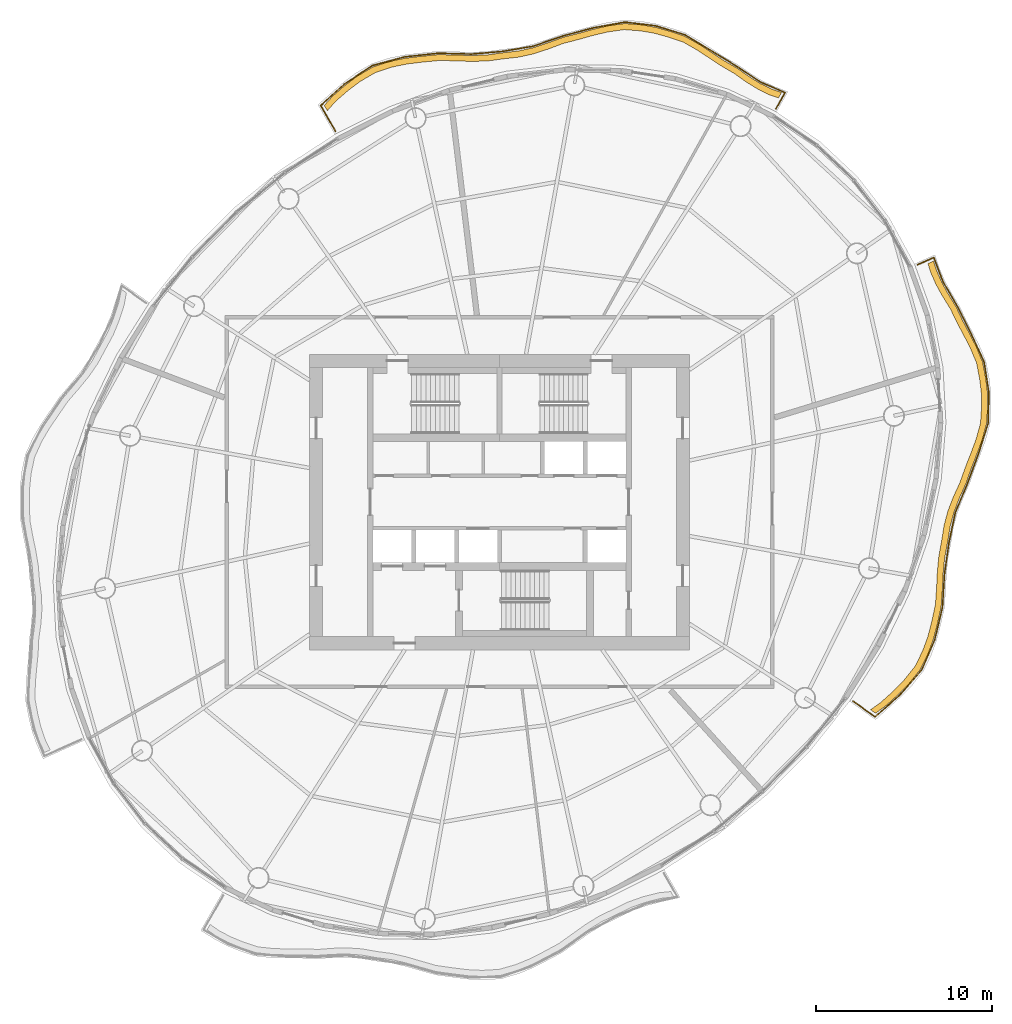
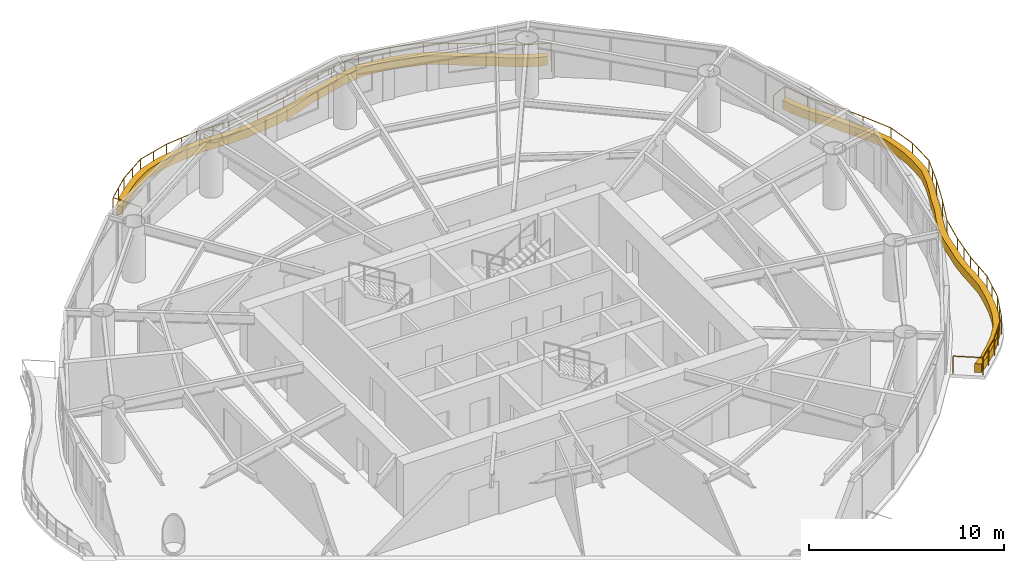
# One storey, part 14 of 14: 2 coverings, 2 railings.
"""IFC4 building model written with IfcOpenShell, lengths in metres."""

from ifc_helpers import new_model, si_unit, direction, frame, origin, origin_2d, place, context, subcontext, project, spatial, polyline, circle, outline, extrude, material, type_object, element, save


model = new_model("IFC4")

# Units and contexts
model_context = context("Model", 3, precision=1e-05, world=origin(), true_north=direction((0.0, 1.0)))
body_context = subcontext(model_context, "Body", "Model", "MODEL_VIEW")
ifc_project = project(units=[si_unit("LENGTHUNIT", "METRE"), si_unit("AREAUNIT", "SQUARE_METRE"), si_unit("VOLUMEUNIT", "CUBIC_METRE"), si_unit("PLANEANGLEUNIT", "RADIAN"), si_unit("MASSUNIT", "GRAM", prefix="KILO")], contexts=[model_context])

# Site, building, storey
site_placement = place(None, origin())
site = spatial("IfcSite", under=ifc_project, at=site_placement, CompositionType="ELEMENT")
building_placement = place(site_placement, origin())
building = spatial("IfcBuilding", under=site, at=building_placement, Name="Vermilion Reach Broadcast Tower", CompositionType="ELEMENT")
storey_placement = place(building_placement, frame((0.0, 0.0, 202.89990234375)))
storey = spatial("IfcBuildingStorey", under=building, at=storey_placement, Name="L49", CompositionType="ELEMENT", Elevation=202.89990234375)

# Coverings
ifc_material_1 = material(Name="Planting soil and greenery")
covering_type = type_object("IfcCoveringType", Name="Balcony PLANTER", PredefinedType="USERDEFINED", material=ifc_material_1)
placement = place(storey_placement, origin())
element("IfcCovering", 1, at=placement, inside=storey, type_object=covering_type, Name="PLANTER L49 group 1", ObjectType="PLANTER", PredefinedType="USERDEFINED", context=body_context, shape_type="SweptSolid", body=[
    extrude(outline(polyline([(10.03271484375, 23.28271484375), (9.514404296875, 23.454833984375), (8.83544921875, 23.7861328125), (8.18798828125, 24.184326171875), (7.480712890625, 24.682861328125), (6.706787109375, 25.125244140625), (6.0341796875, 25.567626953125), (5.362060546875, 26.011962890625), (4.53515625, 26.478759765625), (3.624755859375, 26.78173828125), (2.857177734375, 26.994384765625), (2.077392578125, 27.12744140625), (1.12646484375, 27.2041015625), (0.151611328125, 27.072265625), (-0.662841796875, 26.87841796875), (-1.477783203125, 26.650146484375), (-2.39208984375, 26.418701171875), (-3.29248046875, 26.08935546875), (-4.100830078125, 25.827392578125), (-4.917724609375, 25.64306640625), (-5.809814453125, 25.541259765625), (-6.723388671875, 25.41650390625), (-7.59326171875, 25.386474609375), (-8.4765625, 25.412353515625), (-9.46923828125, 25.43896484375), (-10.47314453125, 25.338623046875), (-11.361083984375, 25.232177734375), (-12.22314453125, 25.05517578125), (-13.182373046875, 24.7421875), (-14.067138671875, 24.225830078125), (-14.786376953125, 23.6884765625), (-15.47412109375, 23.088134765625), (-15.96240234375, 22.547119140625), (-15.788330078125, 22.243408203125), (-15.31689453125, 22.775390625), (-14.629150390625, 23.375732421875), (-13.909912109375, 23.9130859375), (-13.04296875, 24.421142578125), (-12.10205078125, 24.7265625), (-11.239990234375, 24.90380859375), (-10.35205078125, 25.010009765625), (-9.36767578125, 25.10400390625), (-8.39453125, 25.072021484375), (-7.51123046875, 25.046142578125), (-6.6416015625, 25.076171875), (-5.748779296875, 25.196533203125), (-4.8779296875, 25.29541015625), (-4.060791015625, 25.479736328125), (-3.252685546875, 25.74169921875), (-2.374755859375, 26.069091796875), (-1.48291015625, 26.300048828125), (-0.66796875, 26.528564453125), (0.146484375, 26.72216796875), (1.09765625, 26.855224609375), (2.025390625, 26.781494140625), (2.804931640625, 26.648193359375), (3.572509765625, 26.435791015625), (4.45849609375, 26.13720703125), (5.261474609375, 25.6767578125), (5.933349609375, 25.232421875), (6.606201171875, 24.7900390625), (7.355224609375, 24.35595703125), (8.03857421875, 23.867919921875), (8.68603515625, 23.4697265625), (9.364990234375, 23.138427734375), (9.859375, 22.978515625), (10.03271484375, 23.28271484375)])), origin(), (0.0, 0.0, 1.0), 0.550048828125),
])
element("IfcCovering", 2, at=placement, inside=storey, type_object=covering_type, Name="PLANTER L49 group 4", ObjectType="PLANTER", PredefinedType="USERDEFINED", context=body_context, shape_type="SweptSolid", body=[
    extrude(outline(polyline([(15.377685546875, -12.009521484375), (15.962890625, -11.583740234375), (16.6455078125, -10.968994140625), (17.28173828125, -10.324951171875), (17.92041015625, -9.520263671875), (18.368408203125, -8.617919921875), (18.66796875, -7.796630859375), (18.89013671875, -6.937744140625), (19.106689453125, -5.949462890625), (19.178466796875, -4.95166015625), (19.220947265625, -4.064208984375), (19.3037109375, -3.19091796875), (19.475341796875, -2.277099609375), (19.616943359375, -1.38720703125), (19.834228515625, -0.58203125), (20.13525390625, 0.205322265625), (20.52294921875, 1.0673828125), (20.830810546875, 1.9482421875), (21.142822265625, 2.737060546875), (21.435791015625, 3.52734375), (21.695068359375, 4.4775390625), (21.75244140625, 5.42919921875), (21.73974609375, 6.220458984375), (21.64501953125, 7.007080078125), (21.466064453125, 7.951416015625), (21.102783203125, 8.830810546875), (20.735107421875, 9.54443359375), (20.355224609375, 10.255615234375), (19.96923828125, 11.07275390625), (19.510009765625, 11.822021484375), (19.139892578125, 12.49169921875), (18.8349609375, 13.18505859375), (18.6748046875, 13.699951171875), (18.355712890625, 13.556640625), (18.505615234375, 13.06689453125), (18.810302734375, 12.37353515625), (19.180419921875, 11.703857421875), (19.6318359375, 10.979248046875), (20.01171875, 10.187744140625), (20.391845703125, 9.476318359375), (20.759521484375, 8.7626953125), (21.11865234375, 7.907958984375), (21.29541015625, 6.988525390625), (21.390380859375, 6.20166015625), (21.40283203125, 5.41064453125), (21.344970703125, 4.482666015625), (21.087158203125, 3.555908203125), (20.7939453125, 2.765625), (20.48193359375, 1.97705078125), (20.1767578125, 1.118408203125), (19.79296875, 0.2783203125), (19.491943359375, -0.5087890625), (19.274658203125, -1.31396484375), (19.13818359375, -2.18310546875), (18.972900390625, -3.076416015625), (18.89013671875, -3.949951171875), (18.84765625, -4.83740234375), (18.782958984375, -5.816162109375), (18.574951171875, -6.78564453125), (18.352783203125, -7.64453125), (18.052978515625, -8.4658203125), (17.6142578125, -9.3505859375), (16.985595703125, -10.13818359375), (16.349609375, -10.782470703125), (15.666748046875, -11.39697265625), (15.09228515625, -11.80712890625), (15.377685546875, -12.009521484375)])), origin(), (0.0, 0.0, 1.0), 0.550048828125),
])

# Railings
ifc_material_2 = material(Name="Stainless steel 316 balustrade", Category="steel")
railing_type = type_object("IfcRailingType", Name="Balcony guard 1100", PredefinedType="BALUSTRADE", material=ifc_material_2)
railing_1_placement = place(storey_placement, frame((9.713134765625, 22.35986328125, 0.0)))
element("IfcRailing", 3, at=railing_1_placement, inside=storey, type_object=railing_type, Name="Balcony guard L49 group 1", PredefinedType="BALUSTRADE", context=body_context, shape_type="SweptSolid", body=[
    extrude(circle(Radius=0.02490234375, at=origin_2d()), frame((0.0, 0.0, 1.0751953125), z_axis=(0.495290467213, 0.868727433139, 0.0), x_axis=(-0.868727433139, 0.495290467213, 0.0)), (0.0, 0.0, 1.0), 1.053955078125),
    extrude(circle(Radius=0.02490234375, at=origin_2d()), frame((0.52197265625, 0.91552734375, 1.0751953125), z_axis=(-0.919620619398, 0.392807734622, 0.0), x_axis=(-0.392807734622, -0.919620619398, 0.0)), (0.0, 0.0, 1.0), 1.48486328125),
    extrude(circle(Radius=0.02490234375, at=origin_2d()), frame((-0.843505859375, 1.498779296875, 1.0751953125), z_axis=(-0.834300885899, 0.551309379376, 0.0), x_axis=(-0.551309379376, -0.834300885899, 0.0)), (0.0, 0.0, 1.0), 1.630615234375),
    extrude(circle(Radius=0.02490234375, at=origin_2d()), frame((-2.203857421875, 2.397705078125, 1.0751953125), z_axis=(-0.853530037969, 0.52104363952, 0.0), x_axis=(-0.52104363952, -0.853530037969, 0.0)), (0.0, 0.0, 1.0), 1.701416015625),
    extrude(circle(Radius=0.02490234375, at=origin_2d()), frame((-3.656005859375, 3.2841796875, 1.0751953125), z_axis=(-0.854985299741, 0.518652231488, 0.0), x_axis=(-0.518652231488, -0.854985299741, 0.0)), (0.0, 0.0, 1.0), 1.759521484375),
    extrude(circle(Radius=0.02490234375, at=origin_2d()), frame((-5.160400390625, 4.19677734375, 1.0751953125), z_axis=(-0.955967643328, 0.293472085401, 0.0), x_axis=(-0.293472085401, -0.955967643328, 0.0)), (0.0, 0.0, 1.0), 1.76123046875),
    extrude(circle(Radius=0.02490234375, at=origin_2d()), frame((-6.843994140625, 4.713623046875, 1.0751953125), z_axis=(-0.992751456698, 0.120185461785, 0.0), x_axis=(-0.120185461785, -0.992751456698, 0.0)), (0.0, 0.0, 1.0), 1.7490234375),
    extrude(circle(Radius=0.02490234375, at=origin_2d()), frame((-8.580322265625, 4.923828125, 1.0751953125), z_axis=(-0.983976818764, -0.178296438933, 0.0), x_axis=(0.178296438933, -0.983976818764, 0.0)), (0.0, 0.0, 1.0), 1.823974609375),
    extrude(circle(Radius=0.02490234375, at=origin_2d()), frame((-10.375, 4.5986328125, 1.0751953125), z_axis=(-0.966586330447, -0.25634130723, 0.0), x_axis=(0.25634130723, -0.966586330447, 0.0)), (0.0, 0.0, 1.0), 1.79443359375),
    extrude(circle(Radius=0.02490234375, at=origin_2d()), frame((-12.109375, 4.138671875, 1.0751953125), z_axis=(-0.945262728423, -0.326310242338, 0.0), x_axis=(0.326310242338, -0.945262728423, 0.0)), (0.0, 0.0, 1.0), 1.812744140625),
    extrude(circle(Radius=0.02490234375, at=origin_2d()), frame((-13.822998046875, 3.547119140625, 1.0751953125), z_axis=(-0.98625688751, -0.165219102523, 0.0), x_axis=(0.165219102523, -0.98625688751, 0.0)), (0.0, 0.0, 1.0), 1.73779296875),
    extrude(circle(Radius=0.02490234375, at=origin_2d()), frame((-15.536865234375, 3.260009765625, 1.0751953125), z_axis=(-0.996227306039, -0.086782225731, 0.0), x_axis=(0.086782225731, -0.996227306039, 0.0)), (0.0, 0.0, 1.0), 1.794921875),
    extrude(circle(Radius=0.02490234375, at=origin_2d()), frame((-17.324951171875, 3.104248046875, 1.0751953125), z_axis=(-0.999625149478, 0.027378103133, 0.0), x_axis=(-0.027378103133, -0.999625149478, 0.0)), (0.0, 0.0, 1.0), 1.881591796875),
    extrude(circle(Radius=0.02490234375, at=origin_2d()), frame((-19.205810546875, 3.15576171875, 1.0751953125), z_axis=(-0.99400950129, -0.109293693073, 0.0), x_axis=(0.109293693073, -0.99400950129, 0.0)), (0.0, 0.0, 1.0), 1.90771484375),
    extrude(circle(Radius=0.02490234375, at=origin_2d()), frame((-21.10205078125, 2.947265625, 1.0751953125), z_axis=(-0.9655845797, -0.260089252844, 0.0), x_axis=(0.260089252844, -0.9655845797, 0.0)), (0.0, 0.0, 1.0), 1.890380859375),
    extrude(circle(Radius=0.02490234375, at=origin_2d()), frame((-22.927490234375, 2.45556640625, 1.0751953125), z_axis=(-0.835993320356, -0.548739617962, 0.0), x_axis=(0.548739617962, -0.835993320356, 0.0)), (0.0, 0.0, 1.0), 1.92333984375),
    extrude(circle(Radius=0.02490234375, at=origin_2d()), frame((-24.535400390625, 1.400146484375, 1.0751953125), z_axis=(-0.738447650241, -0.674310809534, 0.0), x_axis=(0.674310809534, -0.738447650241, 0.0)), (0.0, 0.0, 1.0), 1.815673828125),
    extrude(circle(Radius=0.02490234375, at=origin_2d()), frame((-25.876220703125, 0.17578125, 1.0751953125), z_axis=(0.497586524914, -0.867414347486, 0.0), x_axis=(0.867414347486, 0.497586524914, 0.0)), (0.0, 0.0, 1.0), 1.670166015625),
    extrude(circle(Radius=0.02490234375, at=origin_2d()), origin(), (0.0, 0.0, 1.0), 1.050048828125),
    extrude(circle(Radius=0.02490234375, at=origin_2d()), frame((0.52197265625, 0.91552734375, 0.0)), (0.0, 0.0, 1.0), 1.050048828125),
    extrude(circle(Radius=0.02490234375, at=origin_2d()), frame((-0.843505859375, 1.498779296875, 0.0)), (0.0, 0.0, 1.0), 1.050048828125),
    extrude(circle(Radius=0.02490234375, at=origin_2d()), frame((-2.203857421875, 2.397705078125, 0.0)), (0.0, 0.0, 1.0), 1.050048828125),
    extrude(circle(Radius=0.02490234375, at=origin_2d()), frame((-3.656005859375, 3.2841796875, 0.0)), (0.0, 0.0, 1.0), 1.050048828125),
    extrude(circle(Radius=0.02490234375, at=origin_2d()), frame((-5.160400390625, 4.19677734375, 0.0)), (0.0, 0.0, 1.0), 1.050048828125),
    extrude(circle(Radius=0.02490234375, at=origin_2d()), frame((-6.843994140625, 4.713623046875, 0.0)), (0.0, 0.0, 1.0), 1.050048828125),
    extrude(circle(Radius=0.02490234375, at=origin_2d()), frame((-8.580322265625, 4.923828125, 0.0)), (0.0, 0.0, 1.0), 1.050048828125),
    extrude(circle(Radius=0.02490234375, at=origin_2d()), frame((-9.4775390625, 4.76123046875, 0.0)), (0.0, 0.0, 1.0), 1.050048828125),
    extrude(circle(Radius=0.02490234375, at=origin_2d()), frame((-10.375, 4.5986328125, 0.0)), (0.0, 0.0, 1.0), 1.050048828125),
    extrude(circle(Radius=0.02490234375, at=origin_2d()), frame((-12.109375, 4.138671875, 0.0)), (0.0, 0.0, 1.0), 1.050048828125),
    extrude(circle(Radius=0.02490234375, at=origin_2d()), frame((-12.96630859375, 3.8427734375, 0.0)), (0.0, 0.0, 1.0), 1.050048828125),
    extrude(circle(Radius=0.02490234375, at=origin_2d()), frame((-13.822998046875, 3.547119140625, 0.0)), (0.0, 0.0, 1.0), 1.050048828125),
    extrude(circle(Radius=0.02490234375, at=origin_2d()), frame((-15.536865234375, 3.260009765625, 0.0)), (0.0, 0.0, 1.0), 1.050048828125),
    extrude(circle(Radius=0.02490234375, at=origin_2d()), frame((-17.324951171875, 3.104248046875, 0.0)), (0.0, 0.0, 1.0), 1.050048828125),
    extrude(circle(Radius=0.02490234375, at=origin_2d()), frame((-18.265380859375, 3.1298828125, 0.0)), (0.0, 0.0, 1.0), 1.050048828125),
    extrude(circle(Radius=0.02490234375, at=origin_2d()), frame((-19.205810546875, 3.15576171875, 0.0)), (0.0, 0.0, 1.0), 1.050048828125),
    extrude(circle(Radius=0.02490234375, at=origin_2d()), frame((-20.15380859375, 3.051513671875, 0.0)), (0.0, 0.0, 1.0), 1.050048828125),
    extrude(circle(Radius=0.02490234375, at=origin_2d()), frame((-21.10205078125, 2.947265625, 0.0)), (0.0, 0.0, 1.0), 1.050048828125),
    extrude(circle(Radius=0.02490234375, at=origin_2d()), frame((-22.0146484375, 2.701416015625, 0.0)), (0.0, 0.0, 1.0), 1.050048828125),
    extrude(circle(Radius=0.02490234375, at=origin_2d()), frame((-22.927490234375, 2.45556640625, 0.0)), (0.0, 0.0, 1.0), 1.050048828125),
    extrude(circle(Radius=0.02490234375, at=origin_2d()), frame((-23.7314453125, 1.927734375, 0.0)), (0.0, 0.0, 1.0), 1.050048828125),
    extrude(circle(Radius=0.02490234375, at=origin_2d()), frame((-24.535400390625, 1.400146484375, 0.0)), (0.0, 0.0, 1.0), 1.050048828125),
    extrude(circle(Radius=0.02490234375, at=origin_2d()), frame((-25.205810546875, 0.7880859375, 0.0)), (0.0, 0.0, 1.0), 1.050048828125),
    extrude(circle(Radius=0.02490234375, at=origin_2d()), frame((-25.876220703125, 0.17578125, 0.0)), (0.0, 0.0, 1.0), 1.050048828125),
    extrude(circle(Radius=0.02490234375, at=origin_2d()), frame((-25.045166015625, -1.27294921875, 0.0)), (0.0, 0.0, 1.0), 1.050048828125),
])
railing_2_placement = place(storey_placement, frame((14.091552734375, -11.3173828125, 0.0)))
element("IfcRailing", 4, at=railing_2_placement, inside=storey, type_object=railing_type, Name="Balcony guard L49 group 4", PredefinedType="BALUSTRADE", context=body_context, shape_type="SweptSolid", body=[
    extrude(circle(Radius=0.02490234375, at=origin_2d()), frame((0.0, 0.0, 1.0751953125), z_axis=(0.815519217885, -0.5787299934, 0.0), x_axis=(0.5787299934, 0.815519217885, 0.0)), (0.0, 0.0, 1.0), 1.539306640625),
    extrude(circle(Radius=0.02490234375, at=origin_2d()), frame((1.25537109375, -0.890869140625, 1.0751953125), z_axis=(0.752335168286, 0.65878053596, 0.0), x_axis=(-0.65878053596, 0.752335168286, 0.0)), (0.0, 0.0, 1.0), 1.81640625),
    extrude(circle(Radius=0.02490234375, at=origin_2d()), frame((2.621826171875, 0.3056640625, 1.0751953125), z_axis=(0.660272142969, 0.751026429108, 0.0), x_axis=(-0.751026429108, 0.660272142969, 0.0)), (0.0, 0.0, 1.0), 1.93408203125),
    extrude(circle(Radius=0.02490234375, at=origin_2d()), frame((3.89892578125, 1.75830078125, 1.0751953125), z_axis=(0.397967560839, 0.917399487966, 0.0), x_axis=(-0.917399487966, 0.397967560839, 0.0)), (0.0, 0.0, 1.0), 1.88330078125),
    extrude(circle(Radius=0.02490234375, at=origin_2d()), frame((4.6484375, 3.486083984375, 1.0751953125), z_axis=(0.231562713991, 0.972819977945, 0.0), x_axis=(-0.972819977945, 0.231562713991, 0.0)), (0.0, 0.0, 1.0), 1.903076171875),
    extrude(circle(Radius=0.02490234375, at=origin_2d()), frame((5.089111328125, 5.33740234375, 1.0751953125), z_axis=(0.061254269023, 0.998122194186, 0.0), x_axis=(-0.998122194186, 0.061254269023, 0.0)), (0.0, 0.0, 1.0), 1.893310546875),
    extrude(circle(Radius=0.02490234375, at=origin_2d()), frame((5.205078125, 7.22705078125, 1.0751953125), z_axis=(0.141364702213, 0.989957585439, 0.0), x_axis=(-0.989957585439, 0.141364702213, 0.0)), (0.0, 0.0, 1.0), 1.809814453125),
    extrude(circle(Radius=0.02490234375, at=origin_2d()), frame((5.4609375, 9.018798828125, 1.0751953125), z_axis=(0.207235302664, 0.978291127083, 0.0), x_axis=(-0.978291127083, 0.207235302664, 0.0)), (0.0, 0.0, 1.0), 1.73779296875),
    extrude(circle(Radius=0.02490234375, at=origin_2d()), frame((5.821044921875, 10.71875, 1.0751953125), z_axis=(0.384760443237, 0.923016468607, 0.0), x_axis=(-0.923016468607, 0.384760443237, 0.0)), (0.0, 0.0, 1.0), 1.79248046875),
    extrude(circle(Radius=0.02490234375, at=origin_2d()), frame((6.5107421875, 12.373291015625, 1.0751953125), z_axis=(0.347390050332, 0.937720722246, 0.0), x_axis=(-0.937720722246, 0.347390050332, 0.0)), (0.0, 0.0, 1.0), 1.785888671875),
    extrude(circle(Radius=0.02490234375, at=origin_2d()), frame((7.131103515625, 14.0478515625, 1.0751953125), z_axis=(0.301590764762, 0.95343747074, 0.0), x_axis=(-0.95343747074, 0.301590764762, 0.0)), (0.0, 0.0, 1.0), 1.8310546875),
    extrude(circle(Radius=0.02490234375, at=origin_2d()), frame((7.683349609375, 15.793701171875, 1.0751953125), z_axis=(0.025686257488, 0.999670053656, 0.0), x_axis=(-0.999670053656, 0.025686257488, 0.0)), (0.0, 0.0, 1.0), 1.748779296875),
    extrude(circle(Radius=0.02490234375, at=origin_2d()), frame((7.728271484375, 17.5419921875, 1.0751953125), z_axis=(-0.156083797331, 0.987743817096, 0.0), x_axis=(-0.987743817096, -0.156083797331, 0.0)), (0.0, 0.0, 1.0), 1.758056640625),
    extrude(circle(Radius=0.02490234375, at=origin_2d()), frame((7.453857421875, 19.278564453125, 1.0751953125), z_axis=(-0.416291299933, 0.909231298186, 0.0), x_axis=(-0.909231298186, -0.416291299933, 0.0)), (0.0, 0.0, 1.0), 1.75830078125),
    extrude(circle(Radius=0.02490234375, at=origin_2d()), frame((6.721923828125, 20.877197265625, 1.0751953125), z_axis=(-0.44732745187, 0.894370253756, 0.0), x_axis=(-0.894370253756, -0.44732745187, 0.0)), (0.0, 0.0, 1.0), 1.71533203125),
    extrude(circle(Radius=0.02490234375, at=origin_2d()), frame((5.95458984375, 22.411376953125, 1.0751953125), z_axis=(-0.503834213692, 0.863800373416, 0.0), x_axis=(-0.863800373416, -0.503834213692, 0.0)), (0.0, 0.0, 1.0), 1.6494140625),
    extrude(circle(Radius=0.02490234375, at=origin_2d()), frame((5.12353515625, 23.836181640625, 1.0751953125), z_axis=(-0.35664661915, 0.934239363894, 0.0), x_axis=(-0.934239363894, -0.35664661915, 0.0)), (0.0, 0.0, 1.0), 1.480712890625),
    extrude(circle(Radius=0.02490234375, at=origin_2d()), frame((4.595458984375, 25.219482421875, 1.0751953125), z_axis=(-0.912347107249, -0.40941758132, 0.0), x_axis=(0.40941758132, -0.912347107249, 0.0)), (0.0, 0.0, 1.0), 1.0078125),
    extrude(circle(Radius=0.02490234375, at=origin_2d()), origin(), (0.0, 0.0, 1.0), 1.050048828125),
    extrude(circle(Radius=0.02490234375, at=origin_2d()), frame((1.25537109375, -0.890869140625, 0.0)), (0.0, 0.0, 1.0), 1.050048828125),
    extrude(circle(Radius=0.02490234375, at=origin_2d()), frame((1.9384765625, -0.29248046875, 0.0)), (0.0, 0.0, 1.0), 1.050048828125),
    extrude(circle(Radius=0.02490234375, at=origin_2d()), frame((2.621826171875, 0.3056640625, 0.0)), (0.0, 0.0, 1.0), 1.050048828125),
    extrude(circle(Radius=0.02490234375, at=origin_2d()), frame((3.26025390625, 1.031982421875, 0.0)), (0.0, 0.0, 1.0), 1.050048828125),
    extrude(circle(Radius=0.02490234375, at=origin_2d()), frame((3.89892578125, 1.75830078125, 0.0)), (0.0, 0.0, 1.0), 1.050048828125),
    extrude(circle(Radius=0.02490234375, at=origin_2d()), frame((4.273681640625, 2.6220703125, 0.0)), (0.0, 0.0, 1.0), 1.050048828125),
    extrude(circle(Radius=0.02490234375, at=origin_2d()), frame((4.6484375, 3.486083984375, 0.0)), (0.0, 0.0, 1.0), 1.050048828125),
    extrude(circle(Radius=0.02490234375, at=origin_2d()), frame((4.86865234375, 4.41162109375, 0.0)), (0.0, 0.0, 1.0), 1.050048828125),
    extrude(circle(Radius=0.02490234375, at=origin_2d()), frame((5.089111328125, 5.33740234375, 0.0)), (0.0, 0.0, 1.0), 1.050048828125),
    extrude(circle(Radius=0.02490234375, at=origin_2d()), frame((5.14697265625, 6.2822265625, 0.0)), (0.0, 0.0, 1.0), 1.050048828125),
    extrude(circle(Radius=0.02490234375, at=origin_2d()), frame((5.205078125, 7.22705078125, 0.0)), (0.0, 0.0, 1.0), 1.050048828125),
    extrude(circle(Radius=0.02490234375, at=origin_2d()), frame((5.3330078125, 8.123046875, 0.0)), (0.0, 0.0, 1.0), 1.050048828125),
    extrude(circle(Radius=0.02490234375, at=origin_2d()), frame((5.4609375, 9.018798828125, 0.0)), (0.0, 0.0, 1.0), 1.050048828125),
    extrude(circle(Radius=0.02490234375, at=origin_2d()), frame((5.821044921875, 10.71875, 0.0)), (0.0, 0.0, 1.0), 1.050048828125),
    extrude(circle(Radius=0.02490234375, at=origin_2d()), frame((6.5107421875, 12.373291015625, 0.0)), (0.0, 0.0, 1.0), 1.050048828125),
    extrude(circle(Radius=0.02490234375, at=origin_2d()), frame((7.131103515625, 14.0478515625, 0.0)), (0.0, 0.0, 1.0), 1.050048828125),
    extrude(circle(Radius=0.02490234375, at=origin_2d()), frame((7.4072265625, 14.9208984375, 0.0)), (0.0, 0.0, 1.0), 1.050048828125),
    extrude(circle(Radius=0.02490234375, at=origin_2d()), frame((7.683349609375, 15.793701171875, 0.0)), (0.0, 0.0, 1.0), 1.050048828125),
    extrude(circle(Radius=0.02490234375, at=origin_2d()), frame((7.728271484375, 17.5419921875, 0.0)), (0.0, 0.0, 1.0), 1.050048828125),
    extrude(circle(Radius=0.02490234375, at=origin_2d()), frame((7.453857421875, 19.278564453125, 0.0)), (0.0, 0.0, 1.0), 1.050048828125),
    extrude(circle(Radius=0.02490234375, at=origin_2d()), frame((6.721923828125, 20.877197265625, 0.0)), (0.0, 0.0, 1.0), 1.050048828125),
    extrude(circle(Radius=0.02490234375, at=origin_2d()), frame((5.95458984375, 22.411376953125, 0.0)), (0.0, 0.0, 1.0), 1.050048828125),
    extrude(circle(Radius=0.02490234375, at=origin_2d()), frame((5.12353515625, 23.836181640625, 0.0)), (0.0, 0.0, 1.0), 1.050048828125),
    extrude(circle(Radius=0.02490234375, at=origin_2d()), frame((4.595458984375, 25.219482421875, 0.0)), (0.0, 0.0, 1.0), 1.050048828125),
    extrude(circle(Radius=0.02490234375, at=origin_2d()), frame((3.676025390625, 24.806884765625, 0.0)), (0.0, 0.0, 1.0), 1.050048828125),
])

save(model, "model.ifc")
